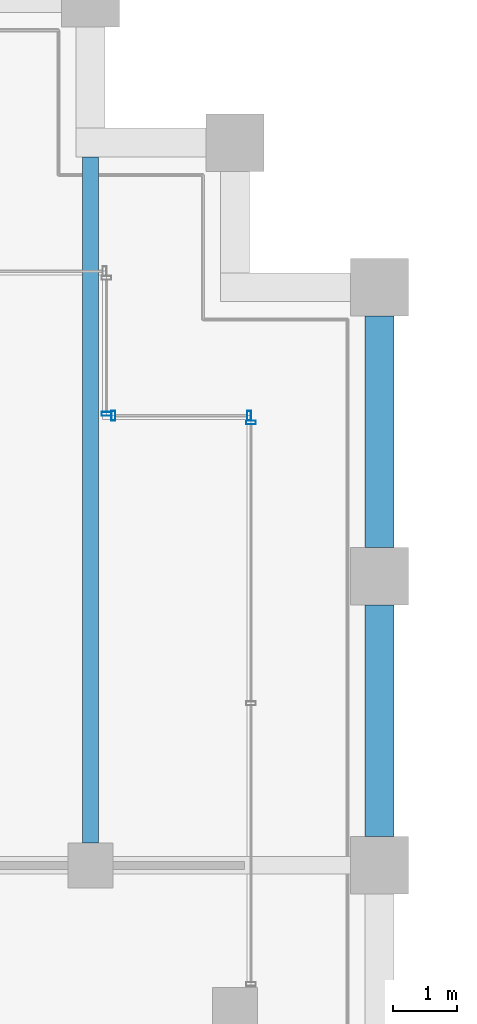
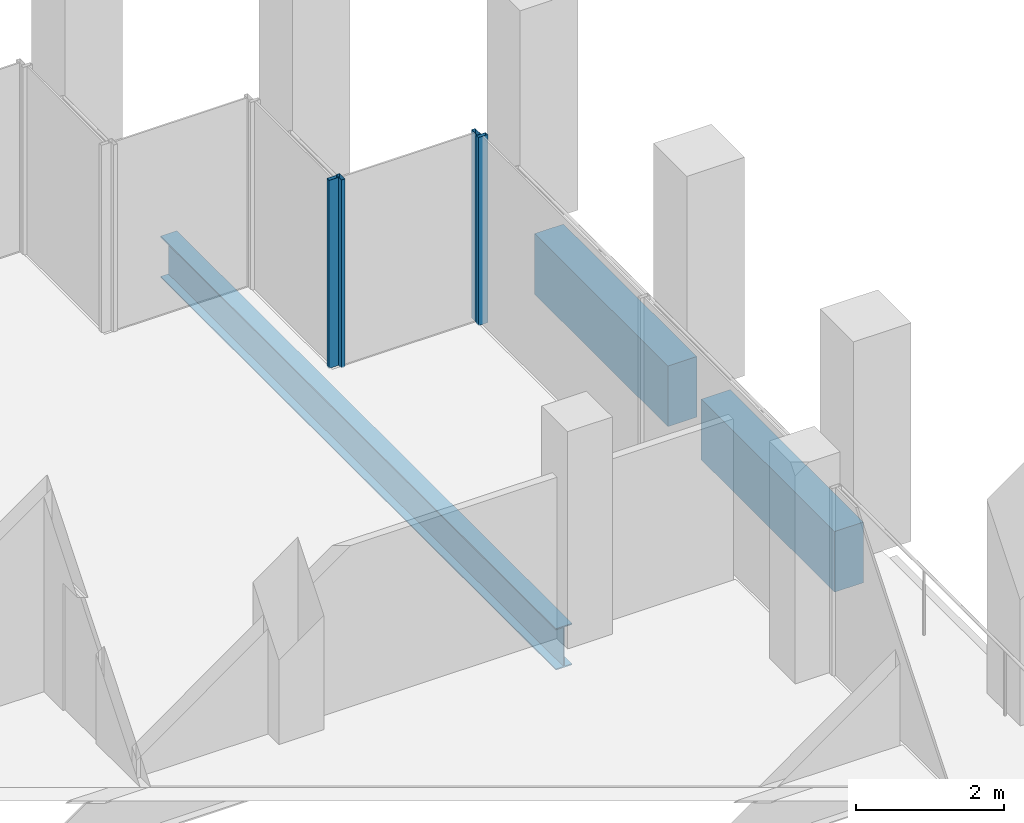
# One storey, part 25 of 40: 4 members, 3 beams, 3 elements without a shape of their own.
"""IFC4 building model written with IfcOpenShell, lengths in metres."""

from ifc_helpers import new_model, si_unit, direction, frame, origin, origin_2d, place, context, subcontext, project, spatial, rectangle, hollow_rectangle, i_section, extrude, material, material_profile, profile_set, type_object, element, aggregate, save


model = new_model("IFC4")

# Units and contexts
model_context = context("Model", 3, precision=1e-05, world=origin(), true_north=direction((0.0, 1.0)))
body_context = subcontext(model_context, "Body", "Model", "MODEL_VIEW")
ifc_project = project(units=[si_unit("LENGTHUNIT", "METRE"), si_unit("AREAUNIT", "SQUARE_METRE"), si_unit("VOLUMEUNIT", "CUBIC_METRE"), si_unit("PLANEANGLEUNIT", "RADIAN"), si_unit("MASSUNIT", "GRAM", prefix="KILO")], contexts=[model_context])

# Site, building, storey
site_placement = place(None, origin())
site = spatial("IfcSite", under=ifc_project, at=site_placement, CompositionType="ELEMENT")
building_placement = place(site_placement, origin())
building = spatial("IfcBuilding", under=site, at=building_placement, Name="Altepetl Exchange Towers", CompositionType="ELEMENT")
storey_placement = place(building_placement, frame((0.0, 0.0, 147.39990234375)))
storey = spatial("IfcBuildingStorey", under=building, at=storey_placement, Name="L36", CompositionType="ELEMENT", Elevation=147.39990234375)

# Beam
ifc_material_1 = material(Name="Steel S355", Category="steel")
ifc_material_profile_1 = material_profile(ifc_material_1, i_section(OverallWidth=0.25390625, OverallDepth=0.68408203125, WebThickness=0.012451171875, FlangeThickness=0.018798828125, at=origin_2d()), Name="W27X94")
ifc_profile_set_1 = profile_set([ifc_material_profile_1], Name="Steel S355")
beam_type_1 = type_object("IfcBeamType", Name="Floor beam W27X94", PredefinedType="BEAM", material=ifc_profile_set_1)
beam_placement = place(storey_placement, frame((67.5, 58.85009765625, -0.491943359375), z_axis=(0.0, 1.0, 0.0), x_axis=(-1.0, 0.0, 0.0)))
element("IfcBeam", 1, at=beam_placement, inside=storey, type_object=beam_type_1, Name="bm:A:L36:005", PredefinedType="BEAM", context=body_context, shape_type="SweptSolid", body=[
    extrude(i_section(OverallWidth=0.25390625, OverallDepth=0.68408203125, WebThickness=0.012451171875, FlangeThickness=0.018798828125, at=origin_2d()), origin(), (0.0, 0.0, 1.0), 10.6748046875),
])

# Curtain wall, member
ifc_material_2 = material(Name="Aluminium 6063-T6 glazing", Category="aluminium")
curtain_wall_type = type_object("IfcCurtainWallType", Name="Loggia glazing system", PredefinedType="NOTDEFINED", material=ifc_material_2)
curtain_wall_1_placement = place(storey_placement, origin())
curtain_wall_1 = element("IfcCurtainWall", 2, at=curtain_wall_1_placement, inside=storey, type_object=curtain_wall_type, Name="CW1 run", PredefinedType="NOTDEFINED")
ifc_material_3 = material(Name="Aluminium 6063-T6", Category="aluminium")
ifc_material_profile_2 = material_profile(ifc_material_3, hollow_rectangle(XDim=0.06005859375, YDim=0.14990234375, WallThickness=0.0029296875, at=origin_2d()), Name="Mullion 60x150 aluminium")
ifc_profile_set_2 = profile_set([ifc_material_profile_2], Name="Aluminium 6063-T6")
member_type = type_object("IfcMemberType", Name="Mullion 60x150 aluminium", PredefinedType="MULLION", material=ifc_profile_set_2)
member_1_placement = place(storey_placement, frame((70.0, 65.39501953125, 0.0), z_axis=(0.0, 0.0, 1.0), x_axis=(0.0, 1.0, 0.0)))
member_1 = element("IfcMember", 3, at=member_1_placement, type_object=member_type, Name="MU1 mullion", PredefinedType="MULLION", context=body_context, shape_type="SweptSolid", body=[
    extrude(hollow_rectangle(XDim=0.06005859375, YDim=0.14990234375, WallThickness=0.0029296875, at=origin_2d()), origin(), (0.0, 0.0, 1.0), 3.10009765625),
])
aggregate(curtain_wall_1, [member_1])

# Curtain wall, members
curtain_wall_2_placement = place(storey_placement, origin())
curtain_wall_2 = element("IfcCurtainWall", 4, at=curtain_wall_2_placement, inside=storey, type_object=curtain_wall_type, Name="CW1 run", PredefinedType="NOTDEFINED")
member_2_placement = place(storey_placement, frame((69.969970703125, 65.5, 0.0), z_axis=(0.0, 0.0, 1.0), x_axis=(-1.0, 0.0, 0.0)))
member_2 = element("IfcMember", 5, at=member_2_placement, type_object=member_type, Name="MU1 mullion", PredefinedType="MULLION", context=body_context, shape_type="SweptSolid", body=[
    extrude(hollow_rectangle(XDim=0.06005859375, YDim=0.14990234375, WallThickness=0.0029296875, at=origin_2d()), origin(), (0.0, 0.0, 1.0), 3.10009765625),
])
member_3_placement = place(storey_placement, frame((67.85498046875, 65.5, 0.0), z_axis=(0.0, 0.0, 1.0), x_axis=(-1.0, 0.0, 0.0)))
member_3 = element("IfcMember", 6, at=member_3_placement, type_object=member_type, Name="MU1 mullion", PredefinedType="MULLION", context=body_context, shape_type="SweptSolid", body=[
    extrude(hollow_rectangle(XDim=0.06005859375, YDim=0.14990234375, WallThickness=0.0029296875, at=origin_2d()), origin(), (0.0, 0.0, 1.0), 3.10009765625),
])
aggregate(curtain_wall_2, [member_2, member_3])

# Curtain wall, member
curtain_wall_3_placement = place(storey_placement, origin())
curtain_wall_3 = element("IfcCurtainWall", 7, at=curtain_wall_3_placement, inside=storey, type_object=curtain_wall_type, Name="CW1 run", PredefinedType="NOTDEFINED")
member_4_placement = place(storey_placement, frame((67.75, 65.530029296875, 0.0), z_axis=(0.0, 0.0, 1.0), x_axis=(0.0, 1.0, 0.0)))
member_4 = element("IfcMember", 8, at=member_4_placement, type_object=member_type, Name="MU1 mullion", PredefinedType="MULLION", context=body_context, shape_type="SweptSolid", body=[
    extrude(hollow_rectangle(XDim=0.06005859375, YDim=0.14990234375, WallThickness=0.0029296875, at=origin_2d()), origin(), (0.0, 0.0, 1.0), 3.10009765625),
])
aggregate(curtain_wall_3, [member_4])

# Beams
ifc_material_4 = material(Name="Concrete C50/60 precast with cantera rosa facing", Category="concrete")
ifc_material_profile_3 = material_profile(ifc_material_4, rectangle(XDim=0.449951171875, YDim=1.0, at=origin_2d()), Name="450 x 1000")
ifc_profile_set_3 = profile_set([ifc_material_profile_3], Name="Concrete C50/60 precast with cantera rosa facing")
beam_type_2 = type_object("IfcBeamType", Name="Spandrel beam 450x1000 cantera rosa", PredefinedType="SPANDREL", material=ifc_profile_set_3)
for number, where, z_axis, x_axis, name in (
    (9, (72.0, 58.949951171875, -0.64990234375), (0.0, 1.0, 0.0), (-1.0, 0.0, 0.0), "sp:A:L36:018"),
    (10, (72.0, 63.449951171875, -0.64990234375), (0.0, 1.0, 0.0), (-1.0, 0.0, 0.0), "sp:A:L36:019"),
):
    element("IfcBeam", number, at=place(storey_placement, frame(where, z_axis=z_axis, x_axis=x_axis)), inside=storey, type_object=beam_type_2, Name=name, PredefinedType="SPANDREL", context=body_context, shape_type="SweptSolid", body=[
        extrude(rectangle(XDim=0.449951171875, YDim=1.0, at=origin_2d()), origin(), (0.0, 0.0, 1.0), 3.60009765625),
    ])

save(model, "model.ifc")
